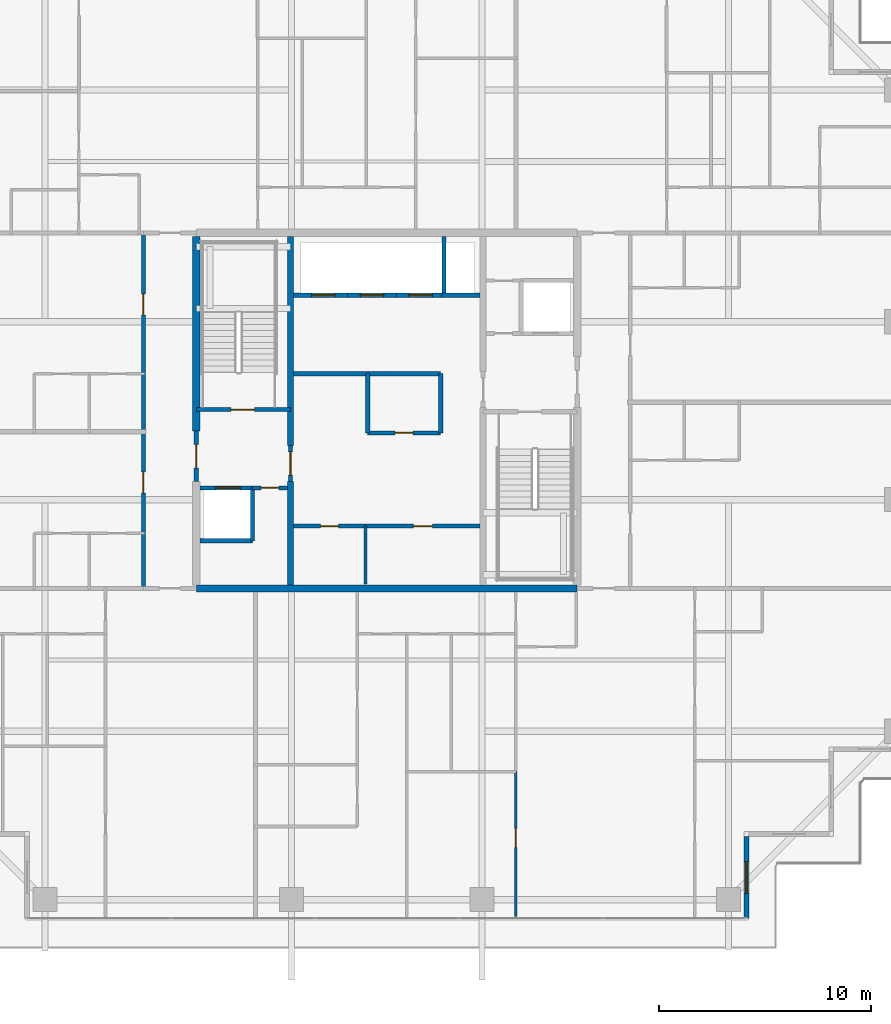
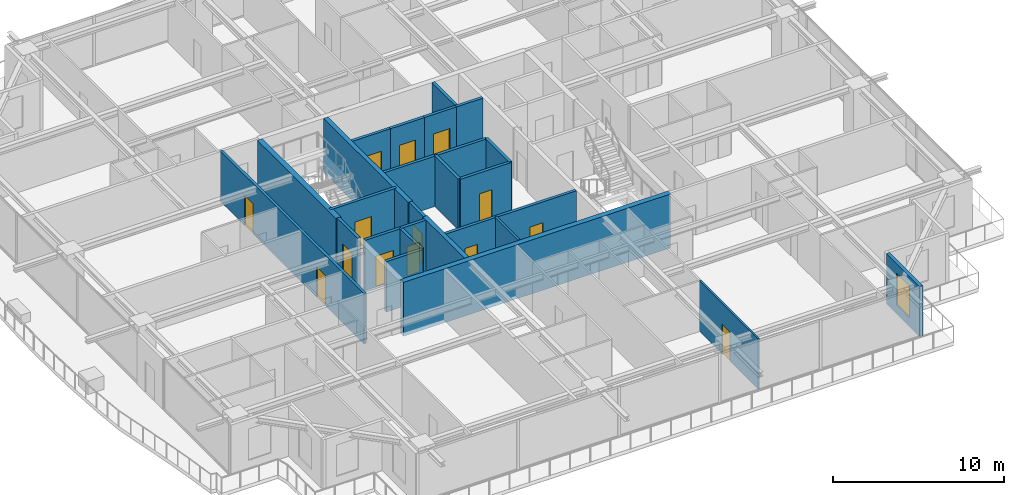
# One storey, part 28 of 39: 26 walls, 14 doors, 1 window, 15 openings.
"""IFC4 building model written with IfcOpenShell, lengths in metres."""

from ifc_helpers import new_model, si_unit, direction, frame, frame_2d, origin, place, context, subcontext, project, spatial, rectangle, extrude, source, transform, mapped, material, layer, layer_set, type_object, element, fill, save


model = new_model("IFC4")

# Units and contexts
model_context = context("Model", 3, precision=1e-05, world=origin(), true_north=direction((0.0, 1.0)))
body_context = subcontext(model_context, "Body", "Model", "MODEL_VIEW")
ifc_project = project(units=[si_unit("LENGTHUNIT", "METRE"), si_unit("AREAUNIT", "SQUARE_METRE"), si_unit("VOLUMEUNIT", "CUBIC_METRE"), si_unit("PLANEANGLEUNIT", "RADIAN"), si_unit("MASSUNIT", "GRAM", prefix="KILO")], contexts=[model_context])

# Site, building, storey
site_placement = place(None, origin())
site = spatial("IfcSite", under=ifc_project, at=site_placement, CompositionType="ELEMENT")
building_placement = place(site_placement, origin())
building = spatial("IfcBuilding", under=site, at=building_placement, Name="Serunith Strait Residences", CompositionType="ELEMENT")
storey_placement = place(building_placement, frame((0.0, 0.0, 222.0)))
storey = spatial("IfcBuildingStorey", under=building, at=storey_placement, Name="L55", CompositionType="ELEMENT", Elevation=222.0)

# Wall, opening, window
ifc_material_1 = material(Name="Pale-Champagne Aluminium Insulated Panel", Category="aluminium")
ifc_layer_1 = layer(ifc_material_1, 0.219970703125, Name="Pale-Champagne Aluminium Insulated Panel")
ifc_layer_set_1 = layer_set([ifc_layer_1], Name="Pale-Champagne Aluminium Insulated Panel")
wall_type_1 = type_object("IfcWallType", Name="EW-ALUM-220", PredefinedType="ELEMENTEDWALL", material=ifc_layer_set_1)
wall_1_placement = place(storey_placement, frame((49.39990234375, 1.199951171875, 0.0), z_axis=(0.0, 0.0, 1.0), x_axis=(0.0, 1.0, 0.0)))
wall_1 = element("IfcWall", 1, at=wall_1_placement, inside=storey, type_object=wall_type_1, Name="L55 Girih Serrated Corner Wall 02", PredefinedType="ELEMENTEDWALL", context=body_context, shape_type="SweptSolid", body=[
    extrude(rectangle(XDim=3.89013671875, YDim=0.219970703125, at=frame_2d((1.945068359375, 0.0))), origin(), (0.0, 0.0, 1.0), 3.574951171875),
])
opening_1_placement = place(wall_1_placement, frame((1.195068359375, 0.0, 0.64990234375)))
opening_1 = element("IfcOpeningElement", 2, at=opening_1_placement, cuts=wall_1, Name="Opening W-05", PredefinedType="OPENING", context=body_context, shape_type="SweptSolid", body=[
    extrude(rectangle(XDim=1.5, YDim=2.25, at=frame_2d((0.75, 1.125))), frame((0.0, 0.1201171875, 0.0), z_axis=(0.0, -1.0, 0.0), x_axis=(1.0, 0.0, 0.0)), (0.0, 0.0, 1.0), 0.239990234375),
])
ifc_material_2 = material(Name="Ceramic-Fritted Operable Aluminium Window Glass", Category="aluminium")
window_type = type_object("IfcWindowType", Name="WIN-C5", PartitioningType="DOUBLE_PANEL_VERTICAL", PredefinedType="WINDOW", material=ifc_material_2)
shared_shape_1 = source(origin(), body_context, "Body", "SweptSolid", [
    extrude(rectangle(XDim=1.5, YDim=2.25, at=frame_2d((0.75, 1.125))), frame((0.0, 0.030029296875, 0.0), z_axis=(0.0, -1.0, 0.0), x_axis=(1.0, 0.0, 0.0)), (0.0, 0.0, 1.0), 0.06005859375),
])
window_placement = place(opening_1_placement, origin())
window = element("IfcWindow", 3, at=window_placement, inside=storey, type_object=window_type, Name="L55 Corner Operable Fritted Window 02", OverallHeight=2.25, OverallWidth=1.5, PartitioningType="SINGLE_PANEL", PredefinedType="WINDOW", context=body_context, shape_type="MappedRepresentation", body=[
    mapped(shared_shape_1, transform((0.0, 0.0, 0.0), scale=1.0)),
])
fill(opening_1, window)

# Wall
ifc_material_3 = material(Name="Fire-rated masonry service closet wall", Category="masonry")
ifc_layer_2 = layer(ifc_material_3, 0.14990234375, Name="Fire-rated masonry service closet wall")
ifc_layer_set_2 = layer_set([ifc_layer_2], Name="Fire-rated masonry service closet wall")
wall_type_2 = type_object("IfcWallType", Name="IW-BOH-150", PredefinedType="PARTITIONING", material=ifc_layer_set_2)
wall_2_placement = place(storey_placement, frame((31.39990234375, 17.02001953125, 0.0), z_axis=(0.0, 0.0, 1.0), x_axis=(0.0, 1.0, 0.0)))
element("IfcWall", 4, at=wall_2_placement, inside=storey, type_object=wall_type_2, Name="L55 Partition Wall 014", PredefinedType="PARTITIONING", context=body_context, shape_type="SweptSolid", body=[
    extrude(rectangle(XDim=2.72998046875, YDim=0.14990234375, at=frame_2d((1.364990234375, 0.0))), origin(), (0.0, 0.0, 1.0), 3.590087890625),
])

# Wall, openings, doors
ifc_material_4 = material(Name="Fire-rated acoustic gypsum partition")
ifc_layer_3 = layer(ifc_material_4, 0.179931640625, Name="Fire-rated acoustic gypsum partition")
ifc_layer_set_3 = layer_set([ifc_layer_3], Name="Fire-rated acoustic gypsum partition")
wall_type_3 = type_object("IfcWallType", Name="IW-CORR-180", PredefinedType="PARTITIONING", material=ifc_layer_set_3)
wall_3_placement = place(storey_placement, frame((20.89990234375, 16.800048828125, 0.0), z_axis=(0.0, 0.0, 1.0), x_axis=(0.0, 1.0, 0.0)))
wall_3 = element("IfcWall", 5, at=wall_3_placement, inside=storey, type_object=wall_type_3, Name="L55 Partition Wall 029", PredefinedType="PARTITIONING", context=body_context, shape_type="SweptSolid", body=[
    extrude(rectangle(XDim=16.800048828125, YDim=0.179931640625, at=frame_2d((8.39990234375, 0.0))), origin(), (0.0, 0.0, 1.0), 3.590087890625),
])
opening_2_placement = place(wall_3_placement, frame((4.5029296875, 0.0, 0.0)))
opening_2 = element("IfcOpeningElement", 6, at=opening_2_placement, cuts=wall_3, Name="Opening D-APT1000", PredefinedType="OPENING", context=body_context, shape_type="SweptSolid", body=[
    extrude(rectangle(XDim=1.0, YDim=2.14990234375, at=frame_2d((0.5, 1.074951171875))), frame((0.0, 0.10009765625, 0.0), z_axis=(0.0, -1.0, 0.0), x_axis=(1.0, 0.0, 0.0)), (0.0, 0.0, 1.0), 0.199951171875),
])
opening_3_placement = place(wall_3_placement, frame((12.924072265625, 0.0, 0.0)))
opening_3 = element("IfcOpeningElement", 7, at=opening_3_placement, cuts=wall_3, Name="Opening D-APT1000", PredefinedType="OPENING", context=body_context, shape_type="SweptSolid", body=[
    extrude(rectangle(XDim=1.0, YDim=2.14990234375, at=frame_2d((0.5, 1.074951171875))), frame((0.0, 0.10009765625, 0.0), z_axis=(0.0, -1.0, 0.0), x_axis=(1.0, 0.0, 0.0)), (0.0, 0.0, 1.0), 0.199951171875),
])
ifc_material_5 = material(Name="Solid timber engineered fire door", Category="wood")
door_type_1 = type_object("IfcDoorType", Name="ID-APT-1000", OperationType="NOTDEFINED", PredefinedType="DOOR", material=ifc_material_5)
shared_shape_2 = source(origin(), body_context, "Body", "SweptSolid", [
    extrude(rectangle(XDim=1.0, YDim=2.14990234375, at=frame_2d((0.5, 1.074951171875))), frame((0.0, 0.02490234375, 0.0), z_axis=(0.0, -1.0, 0.0), x_axis=(1.0, 0.0, 0.0)), (0.0, 0.0, 1.0), 0.050048828125),
])
door_1_placement = place(opening_2_placement, origin())
door_1 = element("IfcDoor", 8, at=door_1_placement, inside=storey, type_object=door_type_1, Name="L55 Unit 05 Entrance Door", OperationType="SINGLE_SWING_LEFT", OverallHeight=2.14990234375, OverallWidth=1.0, PredefinedType="DOOR", context=body_context, shape_type="MappedRepresentation", body=[
    mapped(shared_shape_2, transform((0.0, 0.0, 0.0), scale=1.0)),
])
fill(opening_2, door_1)
door_2_placement = place(opening_3_placement, origin())
door_2 = element("IfcDoor", 9, at=door_2_placement, inside=storey, type_object=door_type_1, Name="L55 Unit 06 Entrance Door", OperationType="SINGLE_SWING_RIGHT", OverallHeight=2.14990234375, OverallWidth=1.0, PredefinedType="DOOR", context=body_context, shape_type="MappedRepresentation", body=[
    mapped(shared_shape_2, transform((0.0, 0.0, 0.0), scale=1.0)),
])
fill(opening_3, door_2)

# Wall, opening, door
ifc_material_6 = material(Name="Lightweight steel-stud gypsum partition", Category="steel")
ifc_layer_4 = layer(ifc_material_6, 0.1201171875, Name="Lightweight steel-stud gypsum partition")
ifc_layer_set_4 = layer_set([ifc_layer_4], Name="Lightweight steel-stud gypsum partition")
wall_type_4 = type_object("IfcWallType", Name="IW-PART-120", PredefinedType="PARTITIONING", material=ifc_layer_set_4)
wall_4_placement = place(storey_placement, frame((38.5, 1.294921875, 0.0), z_axis=(0.0, 0.0, 1.0), x_axis=(0.0, 1.0, 0.0)))
wall_4 = element("IfcWall", 10, at=wall_4_placement, inside=storey, type_object=wall_type_4, Name="L55 Partition Wall 049", PredefinedType="PARTITIONING", context=body_context, shape_type="SweptSolid", body=[
    extrude(rectangle(XDim=6.85498046875, YDim=0.1201171875, at=frame_2d((3.427490234375, 0.0))), origin(), (0.0, 0.0, 1.0), 3.590087890625),
])
opening_4_placement = place(wall_4_placement, frame((3.27490234375, 0.0, 0.0)))
opening_4 = element("IfcOpeningElement", 11, at=opening_4_placement, cuts=wall_4, Name="Opening D-RM900", PredefinedType="OPENING", context=body_context, shape_type="SweptSolid", body=[
    extrude(rectangle(XDim=0.89990234375, YDim=2.10009765625, at=frame_2d((0.449951171875, 1.050048828125))), frame((0.0, 0.070068359375, 0.0), z_axis=(0.0, -1.0, 0.0), x_axis=(1.0, 0.0, 0.0)), (0.0, 0.0, 1.0), 0.14013671875),
])
ifc_material_7 = material(Name="Engineered timber flush bedroom door", Category="wood")
door_type_2 = type_object("IfcDoorType", Name="ID-ROOM-900", OperationType="NOTDEFINED", PredefinedType="DOOR", material=ifc_material_7)
shared_shape_3 = source(origin(), body_context, "Body", "SweptSolid", [
    extrude(rectangle(XDim=0.89990234375, YDim=2.10009765625, at=frame_2d((0.449951171875, 1.050048828125))), frame((0.0, 0.02490234375, 0.0), z_axis=(0.0, -1.0, 0.0), x_axis=(1.0, 0.0, 0.0)), (0.0, 0.0, 1.0), 0.050048828125),
])
door_3_placement = place(opening_4_placement, origin())
door_3 = element("IfcDoor", 12, at=door_3_placement, inside=storey, type_object=door_type_2, Name="L55 Formal Dining Room 1 5502 Door", OperationType="SINGLE_SWING_RIGHT", OverallHeight=2.10009765625, OverallWidth=0.89990234375, PredefinedType="DOOR", context=body_context, shape_type="MappedRepresentation", body=[
    mapped(shared_shape_3, transform((0.0, 0.0, 0.0), scale=1.0)),
])
fill(opening_4, door_3)

ifc_material_8 = material(Name="Autoclaved aerated concrete blockwork", Category="masonry")
ifc_layer_5 = layer(ifc_material_8, 0.199951171875, Name="Autoclaved aerated concrete blockwork")
ifc_layer_set_5 = layer_set([ifc_layer_5], Name="Autoclaved aerated concrete blockwork")
wall_type_5 = type_object("IfcWallType", Name="IW-SHAFT-200", PredefinedType="STANDARD", material=ifc_layer_set_5)
wall_5_placement = place(storey_placement, frame((23.39990234375, 25.25, 0.0), z_axis=(0.0, 0.0, 1.0), x_axis=(1.0, 0.0, 0.0)))
wall_5 = element("IfcWall", 13, at=wall_5_placement, inside=storey, type_object=wall_type_5, Name="L55 ST-1 South Shaft Wall", PredefinedType="STANDARD", context=body_context, shape_type="SweptSolid", body=[
    extrude(rectangle(XDim=4.4501953125, YDim=0.199951171875, at=frame_2d((2.22509765625, 0.0))), origin(), (0.0, 0.0, 1.0), 3.590087890625),
])
opening_5_placement = place(wall_5_placement, frame((1.64990234375, 0.0, 0.0)))
opening_5 = element("IfcOpeningElement", 14, at=opening_5_placement, cuts=wall_5, Name="Opening FD-1100", PredefinedType="OPENING", context=body_context, shape_type="SweptSolid", body=[
    extrude(rectangle(XDim=1.10009765625, YDim=2.14990234375, at=frame_2d((0.550048828125, 1.074951171875))), frame((0.0, 0.10986328125, 0.0), z_axis=(0.0, -1.0, 0.0), x_axis=(1.0, 0.0, 0.0)), (0.0, 0.0, 1.0), 0.219970703125),
])
ifc_material_9 = material(Name="Galvanised steel fire door leaf", Category="steel")
door_type_3 = type_object("IfcDoorType", Name="FD-STAIR-1100", OperationType="NOTDEFINED", PredefinedType="DOOR", material=ifc_material_9)
shared_shape_4 = source(origin(), body_context, "Body", "SweptSolid", [
    extrude(rectangle(XDim=1.10009765625, YDim=2.14990234375, at=frame_2d((0.550048828125, 1.074951171875))), frame((0.0, 0.02490234375, 0.0), z_axis=(0.0, -1.0, 0.0), x_axis=(1.0, 0.0, 0.0)), (0.0, 0.0, 1.0), 0.050048828125),
])
door_4_placement = place(opening_5_placement, origin())
door_4 = element("IfcDoor", 15, at=door_4_placement, inside=storey, type_object=door_type_3, Name="L55 ST-1 Escape Stair Door", OperationType="SINGLE_SWING_LEFT", OverallHeight=2.14990234375, OverallWidth=1.10009765625, PredefinedType="DOOR", context=body_context, shape_type="MappedRepresentation", body=[
    mapped(shared_shape_4, transform((0.0, 0.0, 0.0), scale=1.0)),
])
fill(opening_5, door_4)

wall_6_placement = place(storey_placement, frame((23.574951171875, 21.550048828125, 0.0), z_axis=(0.0, 0.0, 1.0), x_axis=(1.0, 0.0, 0.0)))
wall_6 = element("IfcWall", 16, at=wall_6_placement, inside=storey, type_object=wall_type_5, Name="L55 FL-1 North Shaft Wall", PredefinedType="STANDARD", context=body_context, shape_type="SweptSolid", body=[
    extrude(rectangle(XDim=2.47509765625, YDim=0.199951171875, at=frame_2d((1.237548828125, 0.0))), origin(), (0.0, 0.0, 1.0), 3.590087890625),
])
opening_6_placement = place(wall_6_placement, frame((0.72509765625, 0.0, 0.0)))
opening_6 = element("IfcOpeningElement", 17, at=opening_6_placement, cuts=wall_6, Name="Opening LD-FF1200", PredefinedType="OPENING", context=body_context, shape_type="SweptSolid", body=[
    extrude(rectangle(XDim=1.199951171875, YDim=2.199951171875, at=frame_2d((0.60009765625, 1.10009765625))), frame((0.0, 0.10986328125, 0.0), z_axis=(0.0, -1.0, 0.0), x_axis=(1.0, 0.0, 0.0)), (0.0, 0.0, 1.0), 0.219970703125),
])
ifc_material_10 = material(Name="Brushed stainless steel landing door", Category="steel")
door_type_4 = type_object("IfcDoorType", Name="LD-FF-1200", OperationType="DOUBLE_DOOR_SLIDING", PredefinedType="DOOR", material=ifc_material_10)
shared_shape_5 = source(origin(), body_context, "Body", "SweptSolid", [
    extrude(rectangle(XDim=1.199951171875, YDim=2.199951171875, at=frame_2d((0.60009765625, 1.10009765625))), frame((0.0, 0.02490234375, 0.0), z_axis=(0.0, -1.0, 0.0), x_axis=(1.0, 0.0, 0.0)), (0.0, 0.0, 1.0), 0.050048828125),
])
door_5_placement = place(opening_6_placement, origin())
door_5 = element("IfcDoor", 18, at=door_5_placement, inside=storey, type_object=door_type_4, Name="L55 FL-1 Landing Door", OperationType="DOUBLE_DOOR_SLIDING", OverallHeight=2.199951171875, OverallWidth=1.199951171875, PredefinedType="DOOR", context=body_context, shape_type="MappedRepresentation", body=[
    mapped(shared_shape_5, transform((0.0, 0.0, 0.0), scale=1.0)),
])
fill(opening_6, door_5)

wall_7_placement = place(storey_placement, frame((28.0, 30.64990234375, 0.0), z_axis=(0.0, 0.0, 1.0), x_axis=(1.0, 0.0, 0.0)))
wall_7 = element("IfcWall", 19, at=wall_7_placement, inside=storey, type_object=wall_type_5, Name="L55 PL-7 South Shaft Wall", PredefinedType="STANDARD", context=body_context, shape_type="SweptSolid", body=[
    extrude(rectangle(XDim=2.550048828125, YDim=0.199951171875, at=frame_2d((1.27490234375, 0.0))), origin(), (0.0, 0.0, 1.0), 3.590087890625),
])
opening_7_placement = place(wall_7_placement, frame((0.85009765625, 0.0, 0.0)))
opening_7 = element("IfcOpeningElement", 20, at=opening_7_placement, cuts=wall_7, Name="Opening LD-1100", PredefinedType="OPENING", context=body_context, shape_type="SweptSolid", body=[
    extrude(rectangle(XDim=1.10009765625, YDim=2.199951171875, at=frame_2d((0.550048828125, 1.10009765625))), frame((0.0, 0.10986328125, 0.0), z_axis=(0.0, -1.0, 0.0), x_axis=(1.0, 0.0, 0.0)), (0.0, 0.0, 1.0), 0.219970703125),
])
ifc_material_11 = material(Name="Pale-champagne stainless landing door")
door_type_5 = type_object("IfcDoorType", Name="LD-LIFT-1100", OperationType="DOUBLE_DOOR_SLIDING", PredefinedType="DOOR", material=ifc_material_11)
shared_shape_6 = source(origin(), body_context, "Body", "SweptSolid", [
    extrude(rectangle(XDim=1.10009765625, YDim=2.199951171875, at=frame_2d((0.550048828125, 1.10009765625))), frame((0.0, 0.02490234375, 0.0), z_axis=(0.0, -1.0, 0.0), x_axis=(1.0, 0.0, 0.0)), (0.0, 0.0, 1.0), 0.050048828125),
])
door_6_placement = place(opening_7_placement, origin())
door_6 = element("IfcDoor", 21, at=door_6_placement, inside=storey, type_object=door_type_5, Name="L55 PL-7 Landing Door", OperationType="DOUBLE_DOOR_SLIDING", OverallHeight=2.199951171875, OverallWidth=1.10009765625, PredefinedType="DOOR", context=body_context, shape_type="MappedRepresentation", body=[
    mapped(shared_shape_6, transform((0.0, 0.0, 0.0), scale=1.0)),
])
fill(opening_7, door_6)

wall_8_placement = place(storey_placement, frame((30.550048828125, 30.64990234375, 0.0), z_axis=(0.0, 0.0, 1.0), x_axis=(1.0, 0.0, 0.0)))
wall_8 = element("IfcWall", 22, at=wall_8_placement, inside=storey, type_object=wall_type_5, Name="L55 PL-8 South Shaft Wall", PredefinedType="STANDARD", context=body_context, shape_type="SweptSolid", body=[
    extrude(rectangle(XDim=2.300048828125, YDim=0.199951171875, at=frame_2d((1.14990234375, 0.0))), origin(), (0.0, 0.0, 1.0), 3.590087890625),
])
opening_8_placement = place(wall_8_placement, frame((0.60009765625, 0.0, 0.0)))
opening_8 = element("IfcOpeningElement", 23, at=opening_8_placement, cuts=wall_8, Name="Opening LD-1100", PredefinedType="OPENING", context=body_context, shape_type="SweptSolid", body=[
    extrude(rectangle(XDim=1.10009765625, YDim=2.199951171875, at=frame_2d((0.550048828125, 1.10009765625))), frame((0.0, 0.10986328125, 0.0), z_axis=(0.0, -1.0, 0.0), x_axis=(1.0, 0.0, 0.0)), (0.0, 0.0, 1.0), 0.219970703125),
])
door_7_placement = place(opening_8_placement, origin())
door_7 = element("IfcDoor", 24, at=door_7_placement, inside=storey, type_object=door_type_5, Name="L55 PL-8 Landing Door", OperationType="DOUBLE_DOOR_SLIDING", OverallHeight=2.199951171875, OverallWidth=1.10009765625, PredefinedType="DOOR", context=body_context, shape_type="MappedRepresentation", body=[
    mapped(shared_shape_6, transform((0.0, 0.0, 0.0), scale=1.0)),
])
fill(opening_8, door_7)

wall_9_placement = place(storey_placement, frame((32.85009765625, 30.64990234375, 0.0), z_axis=(0.0, 0.0, 1.0), x_axis=(1.0, 0.0, 0.0)))
wall_9 = element("IfcWall", 25, at=wall_9_placement, inside=storey, type_object=wall_type_5, Name="L55 PL-9 South Shaft Wall", PredefinedType="STANDARD", context=body_context, shape_type="SweptSolid", body=[
    extrude(rectangle(XDim=2.14990234375, YDim=0.199951171875, at=frame_2d((1.074951171875, 0.0))), origin(), (0.0, 0.0, 1.0), 3.590087890625),
])
opening_9_placement = place(wall_9_placement, frame((0.60009765625, 0.0, 0.0)))
opening_9 = element("IfcOpeningElement", 26, at=opening_9_placement, cuts=wall_9, Name="Opening LD-1100", PredefinedType="OPENING", context=body_context, shape_type="SweptSolid", body=[
    extrude(rectangle(XDim=1.10009765625, YDim=2.199951171875, at=frame_2d((0.550048828125, 1.10009765625))), frame((0.0, 0.10986328125, 0.0), z_axis=(0.0, -1.0, 0.0), x_axis=(1.0, 0.0, 0.0)), (0.0, 0.0, 1.0), 0.219970703125),
])
door_8_placement = place(opening_9_placement, origin())
door_8 = element("IfcDoor", 27, at=door_8_placement, inside=storey, type_object=door_type_5, Name="L55 PL-9 Landing Door", OperationType="DOUBLE_DOOR_SLIDING", OverallHeight=2.199951171875, OverallWidth=1.10009765625, PredefinedType="DOOR", context=body_context, shape_type="MappedRepresentation", body=[
    mapped(shared_shape_6, transform((0.0, 0.0, 0.0), scale=1.0)),
])
fill(opening_9, door_8)

# Walls
wall_10_placement = place(storey_placement, frame((35.0, 30.64990234375, 0.0), z_axis=(0.0, 0.0, 1.0), x_axis=(1.0, 0.0, 0.0)))
element("IfcWall", 28, at=wall_10_placement, inside=storey, type_object=wall_type_5, Name="L55 SL-1 South Shaft Wall", PredefinedType="STANDARD", context=body_context, shape_type="SweptSolid", body=[
    extrude(rectangle(XDim=1.800048828125, YDim=0.199951171875, at=frame_2d((0.89990234375, 0.0))), origin(), (0.0, 0.0, 1.0), 3.590087890625),
])
wall_11_placement = place(storey_placement, frame((35.10009765625, 30.75, 0.0), z_axis=(0.0, 0.0, 1.0), x_axis=(0.0, 1.0, 0.0)))
element("IfcWall", 29, at=wall_11_placement, inside=storey, type_object=wall_type_5, Name="L55 SL-1 West Shaft Wall", PredefinedType="STANDARD", context=body_context, shape_type="SweptSolid", body=[
    extrude(rectangle(XDim=2.675048828125, YDim=0.199951171875, at=frame_2d((1.33740234375, 0.0))), origin(), (0.0, 0.0, 1.0), 3.590087890625),
])
wall_12_placement = place(storey_placement, frame((26.050048828125, 19.050048828125, 0.0), z_axis=(0.0, 0.0, 1.0), x_axis=(0.0, 1.0, 0.0)))
element("IfcWall", 30, at=wall_12_placement, inside=storey, type_object=wall_type_5, Name="L55 Partition Wall 001", PredefinedType="STANDARD", context=body_context, shape_type="SweptSolid", body=[
    extrude(rectangle(XDim=2.5, YDim=0.199951171875, at=frame_2d((1.25, 0.0))), origin(), (0.0, 0.0, 1.0), 3.590087890625),
])
wall_13_placement = place(storey_placement, frame((23.574951171875, 19.050048828125, 0.0), z_axis=(0.0, 0.0, 1.0), x_axis=(1.0, 0.0, 0.0)))
element("IfcWall", 31, at=wall_13_placement, inside=storey, type_object=wall_type_5, Name="L55 Partition Wall 002", PredefinedType="STANDARD", context=body_context, shape_type="SweptSolid", body=[
    extrude(rectangle(XDim=2.47509765625, YDim=0.199951171875, at=frame_2d((1.237548828125, 0.0))), origin(), (0.0, 0.0, 1.0), 3.590087890625),
])

# Wall, opening, door
wall_14_placement = place(storey_placement, frame((26.052001953125, 21.550048828125, 0.0), z_axis=(0.0, 0.0, 1.0), x_axis=(1.0, 0.0, 0.0)))
wall_14 = element("IfcWall", 32, at=wall_14_placement, inside=storey, type_object=wall_type_5, Name="L55 Partition Wall 003", PredefinedType="STANDARD", context=body_context, shape_type="SweptSolid", body=[
    extrude(rectangle(XDim=1.64794921875, YDim=0.199951171875, at=frame_2d((0.823974609375, 0.0))), origin(), (0.0, 0.0, 1.0), 3.590087890625),
])
opening_10_placement = place(wall_14_placement, frame((0.39892578125, 0.0, 0.0)))
opening_10 = element("IfcOpeningElement", 33, at=opening_10_placement, cuts=wall_14, Name="Opening FD-850", PredefinedType="OPENING", context=body_context, shape_type="SweptSolid", body=[
    extrude(rectangle(XDim=0.85009765625, YDim=2.10009765625, at=frame_2d((0.425048828125, 1.050048828125))), frame((0.0, 0.10986328125, 0.0), z_axis=(0.0, -1.0, 0.0), x_axis=(1.0, 0.0, 0.0)), (0.0, 0.0, 1.0), 0.219970703125),
])
ifc_material_12 = material(Name="Powder-coated steel service closet door", Category="steel")
door_type_6 = type_object("IfcDoorType", Name="FD-BOH-850", OperationType="NOTDEFINED", PredefinedType="DOOR", material=ifc_material_12)
shared_shape_7 = source(origin(), body_context, "Body", "SweptSolid", [
    extrude(rectangle(XDim=0.85009765625, YDim=2.10009765625, at=frame_2d((0.425048828125, 1.050048828125))), frame((0.0, 0.02490234375, 0.0), z_axis=(0.0, -1.0, 0.0), x_axis=(1.0, 0.0, 0.0)), (0.0, 0.0, 1.0), 0.050048828125),
])
door_9_placement = place(opening_10_placement, origin())
door_9 = element("IfcDoor", 34, at=door_9_placement, inside=storey, type_object=door_type_6, Name="L55 South-West Core Service Door", OperationType="SINGLE_SWING_LEFT", OverallHeight=2.10009765625, OverallWidth=0.85009765625, PredefinedType="DOOR", context=body_context, shape_type="MappedRepresentation", body=[
    mapped(shared_shape_7, transform((0.0, 0.0, 0.0), scale=1.0)),
])
fill(opening_10, door_9)

wall_15_placement = place(storey_placement, frame((23.39990234375, 21.85205078125, 0.0), z_axis=(0.0, 0.0, 1.0), x_axis=(0.0, 1.0, 0.0)))
wall_15 = element("IfcWall", 35, at=wall_15_placement, inside=storey, type_object=wall_type_5, Name="L55 Partition Wall 007", PredefinedType="STANDARD", context=body_context, shape_type="SweptSolid", body=[
    extrude(rectangle(XDim=2.39599609375, YDim=0.199951171875, at=frame_2d((1.197998046875, 0.0))), origin(), (0.0, 0.0, 1.0), 3.590087890625),
])
opening_11_placement = place(wall_15_placement, frame((0.64794921875, 0.0, 0.0)))
opening_11 = element("IfcOpeningElement", 36, at=opening_11_placement, cuts=wall_15, Name="Opening FD-FFL", PredefinedType="OPENING", context=body_context, shape_type="SweptSolid", body=[
    extrude(rectangle(XDim=1.10009765625, YDim=2.14990234375, at=frame_2d((0.550048828125, 1.074951171875))), frame((0.0, 0.10986328125, 0.0), z_axis=(0.0, -1.0, 0.0), x_axis=(1.0, 0.0, 0.0)), (0.0, 0.0, 1.0), 0.219970703125),
])
ifc_material_13 = material(Name="Glazed steel smoke-lobby fire door", Category="steel")
door_type_7 = type_object("IfcDoorType", Name="FD-FFL-1100", OperationType="NOTDEFINED", PredefinedType="DOOR", material=ifc_material_13)
door_10_placement = place(opening_11_placement, origin())
door_10 = element("IfcDoor", 37, at=door_10_placement, inside=storey, type_object=door_type_7, Name="L55 FFL-1 Corridor Fire Door", OperationType="SINGLE_SWING_LEFT", OverallHeight=2.14990234375, OverallWidth=1.10009765625, PredefinedType="DOOR", context=body_context, shape_type="MappedRepresentation", body=[
    mapped(shared_shape_4, transform((0.0, 0.0, 0.0), scale=1.0)),
])
fill(opening_11, door_10)

wall_16_placement = place(storey_placement, frame((27.85009765625, 21.85205078125, 0.0), z_axis=(0.0, 0.0, 1.0), x_axis=(0.0, 1.0, 0.0)))
wall_16 = element("IfcWall", 38, at=wall_16_placement, inside=storey, type_object=wall_type_5, Name="L55 Partition Wall 009", PredefinedType="STANDARD", context=body_context, shape_type="SweptSolid", body=[
    extrude(rectangle(XDim=1.696044921875, YDim=0.199951171875, at=frame_2d((0.84814453125, 0.0))), origin(), (0.0, 0.0, 1.0), 3.590087890625),
])
opening_12_placement = place(wall_16_placement, frame((0.298095703125, 0.0, 0.0)))
opening_12 = element("IfcOpeningElement", 39, at=opening_12_placement, cuts=wall_16, Name="Opening FD-FFL", PredefinedType="OPENING", context=body_context, shape_type="SweptSolid", body=[
    extrude(rectangle(XDim=1.10009765625, YDim=2.14990234375, at=frame_2d((0.550048828125, 1.074951171875))), frame((0.0, 0.10986328125, 0.0), z_axis=(0.0, -1.0, 0.0), x_axis=(1.0, 0.0, 0.0)), (0.0, 0.0, 1.0), 0.219970703125),
])
door_11_placement = place(opening_12_placement, origin())
door_11 = element("IfcDoor", 40, at=door_11_placement, inside=storey, type_object=door_type_7, Name="L55 FFL-1 Lift Lobby Door", OperationType="SINGLE_SWING_LEFT", OverallHeight=2.14990234375, OverallWidth=1.10009765625, PredefinedType="DOOR", context=body_context, shape_type="MappedRepresentation", body=[
    mapped(shared_shape_4, transform((0.0, 0.0, 0.0), scale=1.0)),
])
fill(opening_12, door_11)

wall_17_placement = place(storey_placement, frame((28.0, 19.75, 0.0), z_axis=(0.0, 0.0, 1.0), x_axis=(1.0, 0.0, 0.0)))
wall_17 = element("IfcWall", 41, at=wall_17_placement, inside=storey, type_object=wall_type_5, Name="L55 Partition Wall 012", PredefinedType="STANDARD", context=body_context, shape_type="SweptSolid", body=[
    extrude(rectangle(XDim=3.39990234375, YDim=0.199951171875, at=frame_2d((1.699951171875, 0.0))), origin(), (0.0, 0.0, 1.0), 3.590087890625),
])
opening_13_placement = place(wall_17_placement, frame((1.27490234375, 0.0, 0.0)))
opening_13 = element("IfcOpeningElement", 42, at=opening_13_placement, cuts=wall_17, Name="Opening FD-850", PredefinedType="OPENING", context=body_context, shape_type="SweptSolid", body=[
    extrude(rectangle(XDim=0.85009765625, YDim=2.10009765625, at=frame_2d((0.425048828125, 1.050048828125))), frame((0.0, 0.10986328125, 0.0), z_axis=(0.0, -1.0, 0.0), x_axis=(1.0, 0.0, 0.0)), (0.0, 0.0, 1.0), 0.219970703125),
])
door_12_placement = place(opening_13_placement, origin())
door_12 = element("IfcDoor", 43, at=door_12_placement, inside=storey, type_object=door_type_6, Name="L55 Booster Pump Door", OperationType="SINGLE_SWING_RIGHT", OverallHeight=2.10009765625, OverallWidth=0.85009765625, PredefinedType="DOOR", context=body_context, shape_type="MappedRepresentation", body=[
    mapped(shared_shape_7, transform((0.0, 0.0, 0.0), scale=1.0)),
])
fill(opening_13, door_12)

wall_18_placement = place(storey_placement, frame((31.402099609375, 19.75, 0.0), z_axis=(0.0, 0.0, 1.0), x_axis=(1.0, 0.0, 0.0)))
wall_18 = element("IfcWall", 44, at=wall_18_placement, inside=storey, type_object=wall_type_5, Name="L55 Partition Wall 013", PredefinedType="STANDARD", context=body_context, shape_type="SweptSolid", body=[
    extrude(rectangle(XDim=5.39794921875, YDim=0.199951171875, at=frame_2d((2.698974609375, 0.0))), origin(), (0.0, 0.0, 1.0), 3.590087890625),
])
opening_14_placement = place(wall_18_placement, frame((2.2490234375, 0.0, 0.0)))
opening_14 = element("IfcOpeningElement", 45, at=opening_14_placement, cuts=wall_18, Name="Opening FD-900", PredefinedType="OPENING", context=body_context, shape_type="SweptSolid", body=[
    extrude(rectangle(XDim=0.89990234375, YDim=2.10009765625, at=frame_2d((0.449951171875, 1.050048828125))), frame((0.0, 0.10986328125, 0.0), z_axis=(0.0, -1.0, 0.0), x_axis=(1.0, 0.0, 0.0)), (0.0, 0.0, 1.0), 0.219970703125),
])
ifc_material_14 = material(Name="Powder-coated steel riser door", Category="steel")
door_type_8 = type_object("IfcDoorType", Name="FD-BOH-900", OperationType="NOTDEFINED", PredefinedType="DOOR", material=ifc_material_14)
door_13_placement = place(opening_14_placement, origin())
door_13 = element("IfcDoor", 46, at=door_13_placement, inside=storey, type_object=door_type_8, Name="L55 Zone Switchroom Door", OperationType="SINGLE_SWING_LEFT", OverallHeight=2.10009765625, OverallWidth=0.89990234375, PredefinedType="DOOR", context=body_context, shape_type="MappedRepresentation", body=[
    mapped(shared_shape_3, transform((0.0, 0.0, 0.0), scale=1.0)),
])
fill(opening_14, door_13)

# Walls
wall_19_placement = place(storey_placement, frame((28.0, 26.949951171875, 0.0), z_axis=(0.0, 0.0, 1.0), x_axis=(1.0, 0.0, 0.0)))
element("IfcWall", 47, at=wall_19_placement, inside=storey, type_object=wall_type_5, Name="L55 Partition Wall 015", PredefinedType="STANDARD", context=body_context, shape_type="SweptSolid", body=[
    extrude(rectangle(XDim=6.949951171875, YDim=0.199951171875, at=frame_2d((3.47509765625, 0.0))), origin(), (0.0, 0.0, 1.0), 3.590087890625),
])
wall_20_placement = place(storey_placement, frame((34.949951171875, 24.14990234375, 0.0), z_axis=(0.0, 0.0, 1.0), x_axis=(0.0, 1.0, 0.0)))
element("IfcWall", 48, at=wall_20_placement, inside=storey, type_object=wall_type_5, Name="L55 Partition Wall 016", PredefinedType="STANDARD", context=body_context, shape_type="SweptSolid", body=[
    extrude(rectangle(XDim=2.800048828125, YDim=0.199951171875, at=frame_2d((1.39990234375, 0.0))), origin(), (0.0, 0.0, 1.0), 3.590087890625),
])

# Wall, opening, door
wall_21_placement = place(storey_placement, frame((31.5, 24.14990234375, 0.0), z_axis=(0.0, 0.0, 1.0), x_axis=(1.0, 0.0, 0.0)))
wall_21 = element("IfcWall", 49, at=wall_21_placement, inside=storey, type_object=wall_type_5, Name="L55 Partition Wall 017", PredefinedType="STANDARD", context=body_context, shape_type="SweptSolid", body=[
    extrude(rectangle(XDim=3.449951171875, YDim=0.199951171875, at=frame_2d((1.72509765625, 0.0))), origin(), (0.0, 0.0, 1.0), 3.590087890625),
])
opening_15_placement = place(wall_21_placement, frame((1.300048828125, 0.0, 0.0)))
opening_15 = element("IfcOpeningElement", 50, at=opening_15_placement, cuts=wall_21, Name="Opening FD-850", PredefinedType="OPENING", context=body_context, shape_type="SweptSolid", body=[
    extrude(rectangle(XDim=0.85009765625, YDim=2.10009765625, at=frame_2d((0.425048828125, 1.050048828125))), frame((0.0, 0.10986328125, 0.0), z_axis=(0.0, -1.0, 0.0), x_axis=(1.0, 0.0, 0.0)), (0.0, 0.0, 1.0), 0.219970703125),
])
door_14_placement = place(opening_15_placement, origin())
door_14 = element("IfcDoor", 51, at=door_14_placement, inside=storey, type_object=door_type_6, Name="L55 Upper Meter Room Door", OperationType="SINGLE_SWING_RIGHT", OverallHeight=2.10009765625, OverallWidth=0.85009765625, PredefinedType="DOOR", context=body_context, shape_type="MappedRepresentation", body=[
    mapped(shared_shape_7, transform((0.0, 0.0, 0.0), scale=1.0)),
])
fill(opening_15, door_14)

# Walls
wall_22_placement = place(storey_placement, frame((31.5, 24.14990234375, 0.0), z_axis=(0.0, 0.0, 1.0), x_axis=(0.0, 1.0, 0.0)))
element("IfcWall", 52, at=wall_22_placement, inside=storey, type_object=wall_type_5, Name="L55 Partition Wall 018", PredefinedType="STANDARD", context=body_context, shape_type="SweptSolid", body=[
    extrude(rectangle(XDim=2.800048828125, YDim=0.199951171875, at=frame_2d((1.39990234375, 0.0))), origin(), (0.0, 0.0, 1.0), 3.590087890625),
])
ifc_material_15 = material(Name="Concrete C60/75", Category="concrete")
ifc_layer_6 = layer(ifc_material_15, 0.300048828125, Name="Concrete C60/75")
ifc_layer_set_6 = layer_set([ifc_layer_6], Name="Concrete C60/75")
wall_type_6 = type_object("IfcWallType", Name="SW-300-C60", PredefinedType="SHEAR", material=ifc_layer_set_6)
wall_23_placement = place(storey_placement, frame((27.85009765625, 16.97509765625, -0.260009765625), z_axis=(0.0, 0.0, 1.0), x_axis=(0.0, 1.0, 0.0)))
element("IfcWall", 53, at=wall_23_placement, inside=storey, type_object=wall_type_6, Name="L55 Core Internal West Web South Pier", PredefinedType="SHEAR", context=body_context, shape_type="SweptSolid", body=[
    extrude(rectangle(XDim=4.875, YDim=0.300048828125, at=frame_2d((2.4375, 0.0))), origin(), (0.0, 0.0, 1.0), 3.847900390625),
])
wall_24_placement = place(storey_placement, frame((27.85009765625, 23.550048828125, -0.260009765625), z_axis=(0.0, 0.0, 1.0), x_axis=(0.0, 1.0, 0.0)))
element("IfcWall", 54, at=wall_24_placement, inside=storey, type_object=wall_type_6, Name="L55 Core Internal West Web North Pier", PredefinedType="SHEAR", context=body_context, shape_type="SweptSolid", body=[
    extrude(rectangle(XDim=9.875, YDim=0.300048828125, at=frame_2d((4.9375, 0.0))), origin(), (0.0, 0.0, 1.0), 3.847900390625),
])
ifc_layer_7 = layer(ifc_material_15, 0.35009765625, Name="Concrete C60/75")
ifc_layer_set_7 = layer_set([ifc_layer_7], Name="Concrete C60/75")
wall_type_7 = type_object("IfcWallType", Name="SW-350-C60", PredefinedType="SHEAR", material=ifc_layer_set_7)
wall_25_placement = place(storey_placement, frame((23.39990234375, 16.800048828125, -0.260009765625), z_axis=(0.0, 0.0, 1.0), x_axis=(1.0, 0.0, 0.0)))
element("IfcWall", 55, at=wall_25_placement, inside=storey, type_object=wall_type_7, Name="L55 Core South Shear Wall", PredefinedType="SHEAR", context=body_context, shape_type="SweptSolid", body=[
    extrude(rectangle(XDim=18.0, YDim=0.35009765625, at=frame_2d((9.0, 0.0))), origin(), (0.0, 0.0, 1.0), 3.847900390625),
])
wall_26_placement = place(storey_placement, frame((23.39990234375, 24.25, -0.260009765625), z_axis=(0.0, 0.0, 1.0), x_axis=(0.0, 1.0, 0.0)))
element("IfcWall", 56, at=wall_26_placement, inside=storey, type_object=wall_type_7, Name="L55 Core West Shear Wall North Pier", PredefinedType="SHEAR", context=body_context, shape_type="SweptSolid", body=[
    extrude(rectangle(XDim=9.175048828125, YDim=0.35009765625, at=frame_2d((4.58740234375, 0.0))), origin(), (0.0, 0.0, 1.0), 3.847900390625),
])

save(model, "model.ifc")
